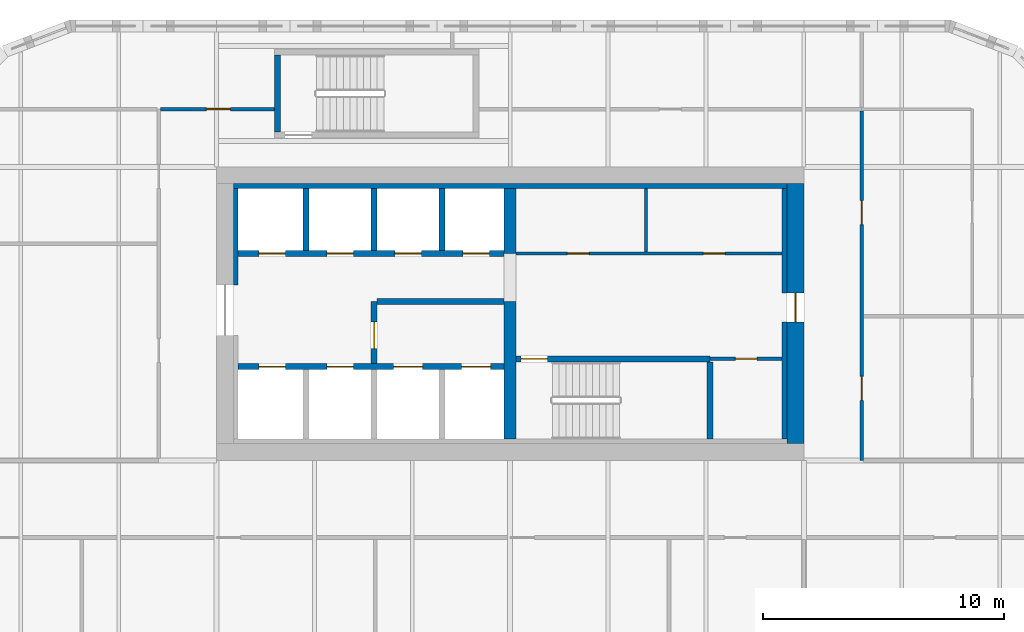
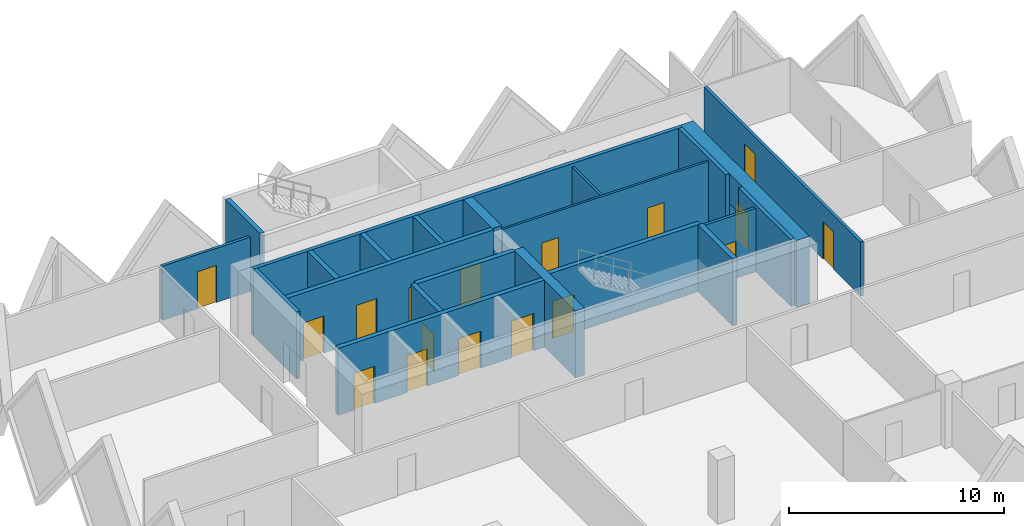
# One storey, part 13 of 18: 22 walls, 17 doors, 17 openings.
"""IFC4 building model written with IfcOpenShell, lengths in metres."""

from ifc_helpers import new_model, si_unit, direction, frame, frame_2d, origin, place, context, subcontext, project, spatial, rectangle, extrude, source, transform, mapped, material, layer, layer_set, type_object, element, fill, save


model = new_model("IFC4")

# Units and contexts
model_context = context("Model", 3, precision=1e-05, world=origin(), true_north=direction((0.0, 1.0)))
body_context = subcontext(model_context, "Body", "Model", "MODEL_VIEW")
ifc_project = project(units=[si_unit("LENGTHUNIT", "METRE"), si_unit("AREAUNIT", "SQUARE_METRE"), si_unit("VOLUMEUNIT", "CUBIC_METRE"), si_unit("PLANEANGLEUNIT", "RADIAN"), si_unit("MASSUNIT", "GRAM", prefix="KILO")], contexts=[model_context])

# Site, building, storey
site_placement = place(None, origin())
site = spatial("IfcSite", under=ifc_project, at=site_placement, CompositionType="ELEMENT")
building_placement = place(site_placement, origin())
building = spatial("IfcBuilding", under=site, at=building_placement, Name="Tessera Gate Towers", CompositionType="ELEMENT")
storey_placement = place(building_placement, frame((0.0, 0.0, 41.0)))
storey = spatial("IfcBuildingStorey", under=building, at=storey_placement, Name="L09", CompositionType="ELEMENT", Elevation=41.0)

# Wall, openings, doors
ifc_material_1 = material(Name="Concrete C40/50", Category="concrete")
ifc_layer_1 = layer(ifc_material_1, 0.25)
ifc_layer_set_1 = layer_set([ifc_layer_1], Name="CORE ENCLOSURE WALL 250")
wall_type_1 = type_object("IfcWallType", Name="CORE ENCLOSURE WALL 250", PredefinedType="SOLIDWALL", material=ifc_layer_set_1)
wall_1_placement = place(storey_placement, frame((98.5, 40.5, 0.0), z_axis=(0.0, 0.0, 1.0), x_axis=(1.0, 0.0, 0.0)))
wall_1 = element("IfcWall", 1, at=wall_1_placement, inside=storey, type_object=wall_type_1, Name="L09 shaft and stair enclosure wall", PredefinedType="SOLIDWALL", context=body_context, shape_type="SweptSolid", body=[
    extrude(rectangle(XDim=11.050048828125, YDim=0.25, at=frame_2d((5.52490234375, 0.0))), origin(), (0.0, 0.0, 1.0), 3.800048828125),
])
shared_shape_1 = source(origin(), body_context, "Body", "SweptSolid", [
    extrude(rectangle(XDim=1.10009765625, YDim=2.10009765625, at=frame_2d((0.550048828125, 1.050048828125))), frame((0.0, 0.135009765625, 0.0), z_axis=(0.0, -1.0, 0.0), x_axis=(1.0, 0.0, 0.0)), (0.0, 0.0, 1.0), 0.27001953125),
])
opening_1_placement = place(wall_1_placement, frame((0.862548828125, 0.0, 0.0)))
opening_1 = element("IfcOpeningElement", 2, at=opening_1_placement, cuts=wall_1, Name="Opening LD-TL1", PredefinedType="OPENING", context=body_context, shape_type="MappedRepresentation", body=[
    mapped(shared_shape_1, transform((0.0, 0.0, 0.0), scale=1.0)),
])
opening_2_placement = place(wall_1_placement, frame((3.6875, 0.0, 0.0)))
opening_2 = element("IfcOpeningElement", 3, at=opening_2_placement, cuts=wall_1, Name="Opening LD-TL2", PredefinedType="OPENING", context=body_context, shape_type="MappedRepresentation", body=[
    mapped(shared_shape_1, transform((0.0, 0.0, 0.0), scale=1.0)),
])
shared_shape_2 = source(origin(), body_context, "Body", "SweptSolid", [
    extrude(rectangle(XDim=1.199951171875, YDim=2.10009765625, at=frame_2d((0.60009765625, 1.050048828125))), frame((0.0, 0.135009765625, 0.0), z_axis=(0.0, -1.0, 0.0), x_axis=(1.0, 0.0, 0.0)), (0.0, 0.0, 1.0), 0.27001953125),
])
opening_3_placement = place(wall_1_placement, frame((6.46240234375, 0.0, 0.0)))
opening_3 = element("IfcOpeningElement", 4, at=opening_3_placement, cuts=wall_1, Name="Opening LD-FF3", PredefinedType="OPENING", context=body_context, shape_type="MappedRepresentation", body=[
    mapped(shared_shape_2, transform((0.0, 0.0, 0.0), scale=1.0)),
])
opening_4_placement = place(wall_1_placement, frame((9.28759765625, 0.0, 0.0)))
opening_4 = element("IfcOpeningElement", 5, at=opening_4_placement, cuts=wall_1, Name="Opening LD-FF4", PredefinedType="OPENING", context=body_context, shape_type="MappedRepresentation", body=[
    mapped(shared_shape_2, transform((0.0, 0.0, 0.0), scale=1.0)),
])
ifc_material_2 = material(Name="Stainless steel", Category="steel")
door_type_1 = type_object("IfcDoorType", Name="CORE DOOR LD1200 1200x2100", OperationType="DOUBLE_DOOR_SLIDING", PredefinedType="DOOR", material=ifc_material_2)
shared_shape_3 = source(origin(), body_context, "Body", "SweptSolid", [
    extrude(rectangle(XDim=1.199951171875, YDim=2.10009765625, at=frame_2d((0.60009765625, 1.050048828125))), frame((0.0, 0.02490234375, 0.0), z_axis=(0.0, -1.0, 0.0), x_axis=(1.0, 0.0, 0.0)), (0.0, 0.0, 1.0), 0.050048828125),
])
door_1_placement = place(opening_3_placement, origin())
door_1 = element("IfcDoor", 6, at=door_1_placement, inside=storey, type_object=door_type_1, Name="Landing door FF3 L09", OperationType="DOUBLE_DOOR_SLIDING", OverallHeight=2.10009765625, OverallWidth=1.199951171875, PredefinedType="DOOR", context=body_context, shape_type="MappedRepresentation", body=[
    mapped(shared_shape_3, transform((0.0, 0.0, 0.0), scale=1.0)),
])
fill(opening_3, door_1)
door_2_placement = place(opening_4_placement, origin())
door_2 = element("IfcDoor", 7, at=door_2_placement, inside=storey, type_object=door_type_1, Name="Landing door FF4 L09", OperationType="DOUBLE_DOOR_SLIDING", OverallHeight=2.10009765625, OverallWidth=1.199951171875, PredefinedType="DOOR", context=body_context, shape_type="MappedRepresentation", body=[
    mapped(shared_shape_3, transform((0.0, 0.0, 0.0), scale=1.0)),
])
fill(opening_4, door_2)
ifc_material_3 = material(Name="Stainless steel", Category="steel")
door_type_2 = type_object("IfcDoorType", Name="CORE DOOR LD 1100x2100", OperationType="DOUBLE_DOOR_SLIDING", PredefinedType="DOOR", material=ifc_material_3)
shared_shape_4 = source(origin(), body_context, "Body", "SweptSolid", [
    extrude(rectangle(XDim=1.10009765625, YDim=2.10009765625, at=frame_2d((0.550048828125, 1.050048828125))), frame((0.0, 0.02490234375, 0.0), z_axis=(0.0, -1.0, 0.0), x_axis=(1.0, 0.0, 0.0)), (0.0, 0.0, 1.0), 0.050048828125),
])
door_3_placement = place(opening_1_placement, origin())
door_3 = element("IfcDoor", 8, at=door_3_placement, inside=storey, type_object=door_type_2, Name="Landing door TL1 L09", OperationType="DOUBLE_DOOR_SLIDING", OverallHeight=2.10009765625, OverallWidth=1.10009765625, PredefinedType="DOOR", context=body_context, shape_type="MappedRepresentation", body=[
    mapped(shared_shape_4, transform((0.0, 0.0, 0.0), scale=1.0)),
])
fill(opening_1, door_3)
door_4_placement = place(opening_2_placement, origin())
door_4 = element("IfcDoor", 9, at=door_4_placement, inside=storey, type_object=door_type_2, Name="Landing door TL2 L09", OperationType="DOUBLE_DOOR_SLIDING", OverallHeight=2.10009765625, OverallWidth=1.10009765625, PredefinedType="DOOR", context=body_context, shape_type="MappedRepresentation", body=[
    mapped(shared_shape_4, transform((0.0, 0.0, 0.0), scale=1.0)),
])
fill(opening_2, door_4)

wall_2_placement = place(storey_placement, frame((109.550048828125, 45.199951171875, 0.0), z_axis=(0.0, 0.0, 1.0), x_axis=(-1.0, 0.0, 0.0)))
wall_2 = element("IfcWall", 10, at=wall_2_placement, inside=storey, type_object=wall_type_1, Name="L09 shaft and stair enclosure wall", PredefinedType="SOLIDWALL", context=body_context, shape_type="SweptSolid", body=[
    extrude(rectangle(XDim=11.050048828125, YDim=0.25, at=frame_2d((5.52490234375, 0.0))), origin(), (0.0, 0.0, 1.0), 3.800048828125),
])
opening_5_placement = place(wall_2_placement, frame((9.08740234375, 0.0, 0.0)))
opening_5 = element("IfcOpeningElement", 11, at=opening_5_placement, cuts=wall_2, Name="Opening LD-TL3", PredefinedType="OPENING", context=body_context, shape_type="MappedRepresentation", body=[
    mapped(shared_shape_1, transform((0.0, 0.0, 0.0), scale=1.0)),
])
opening_6_placement = place(wall_2_placement, frame((6.262451171875, 0.0, 0.0)))
opening_6 = element("IfcOpeningElement", 12, at=opening_6_placement, cuts=wall_2, Name="Opening LD-TL4", PredefinedType="OPENING", context=body_context, shape_type="MappedRepresentation", body=[
    mapped(shared_shape_1, transform((0.0, 0.0, 0.0), scale=1.0)),
])
opening_7_placement = place(wall_2_placement, frame((3.4375, 0.0, 0.0)))
opening_7 = element("IfcOpeningElement", 13, at=opening_7_placement, cuts=wall_2, Name="Opening LD-TL5", PredefinedType="OPENING", context=body_context, shape_type="MappedRepresentation", body=[
    mapped(shared_shape_1, transform((0.0, 0.0, 0.0), scale=1.0)),
])
opening_8_placement = place(wall_2_placement, frame((0.612548828125, 0.0, 0.0)))
opening_8 = element("IfcOpeningElement", 14, at=opening_8_placement, cuts=wall_2, Name="Opening LD-TL6", PredefinedType="OPENING", context=body_context, shape_type="MappedRepresentation", body=[
    mapped(shared_shape_1, transform((0.0, 0.0, 0.0), scale=1.0)),
])
door_5_placement = place(opening_5_placement, origin())
door_5 = element("IfcDoor", 15, at=door_5_placement, inside=storey, type_object=door_type_2, Name="Landing door TL3 L09", OperationType="DOUBLE_DOOR_SLIDING", OverallHeight=2.10009765625, OverallWidth=1.10009765625, PredefinedType="DOOR", context=body_context, shape_type="MappedRepresentation", body=[
    mapped(shared_shape_4, transform((0.0, 0.0, 0.0), scale=1.0)),
])
fill(opening_5, door_5)
door_6_placement = place(opening_6_placement, origin())
door_6 = element("IfcDoor", 16, at=door_6_placement, inside=storey, type_object=door_type_2, Name="Landing door TL4 L09", OperationType="DOUBLE_DOOR_SLIDING", OverallHeight=2.10009765625, OverallWidth=1.10009765625, PredefinedType="DOOR", context=body_context, shape_type="MappedRepresentation", body=[
    mapped(shared_shape_4, transform((0.0, 0.0, 0.0), scale=1.0)),
])
fill(opening_6, door_6)
door_7_placement = place(opening_7_placement, origin())
door_7 = element("IfcDoor", 17, at=door_7_placement, inside=storey, type_object=door_type_2, Name="Landing door TL5 L09", OperationType="DOUBLE_DOOR_SLIDING", OverallHeight=2.10009765625, OverallWidth=1.10009765625, PredefinedType="DOOR", context=body_context, shape_type="MappedRepresentation", body=[
    mapped(shared_shape_4, transform((0.0, 0.0, 0.0), scale=1.0)),
])
fill(opening_7, door_7)
door_8_placement = place(opening_8_placement, origin())
door_8 = element("IfcDoor", 18, at=door_8_placement, inside=storey, type_object=door_type_2, Name="Landing door TL6 L09", OperationType="DOUBLE_DOOR_SLIDING", OverallHeight=2.10009765625, OverallWidth=1.10009765625, PredefinedType="DOOR", context=body_context, shape_type="MappedRepresentation", body=[
    mapped(shared_shape_4, transform((0.0, 0.0, 0.0), scale=1.0)),
])
fill(opening_8, door_8)

# Wall, opening, door
wall_3_placement = place(storey_placement, frame((118.10009765625, 40.824951171875, 0.0), z_axis=(0.0, 0.0, 1.0), x_axis=(-1.0, 0.0, 0.0)))
wall_3 = element("IfcWall", 19, at=wall_3_placement, inside=storey, type_object=wall_type_1, Name="L09 shaft and stair enclosure wall", PredefinedType="SOLIDWALL", context=body_context, shape_type="SweptSolid", body=[
    extrude(rectangle(XDim=8.050048828125, YDim=0.25, at=frame_2d((4.02490234375, 0.0))), origin(), (0.0, 0.0, 1.0), 3.800048828125),
])
opening_9_placement = place(wall_3_placement, frame((6.75, 0.0, 0.0)))
opening_9 = element("IfcOpeningElement", 20, at=opening_9_placement, cuts=wall_3, Name="Opening SD-ST6-1", PredefinedType="OPENING", context=body_context, shape_type="MappedRepresentation", body=[
    mapped(shared_shape_1, transform((0.0, 0.0, 0.0), scale=1.0)),
])
ifc_material_4 = material(Name="Hollow steel fire door", Category="steel")
door_type_3 = type_object("IfcDoorType", Name="CORE DOOR SD1100 1100x2100", OperationType="NOTDEFINED", PredefinedType="DOOR", material=ifc_material_4)
door_9_placement = place(opening_9_placement, origin())
door_9 = element("IfcDoor", 21, at=door_9_placement, inside=storey, type_object=door_type_3, Name="Stair door", OperationType="SINGLE_SWING_RIGHT", OverallHeight=2.10009765625, OverallWidth=1.10009765625, PredefinedType="DOOR", context=body_context, shape_type="MappedRepresentation", body=[
    mapped(shared_shape_4, transform((0.0, 0.0, 0.0), scale=1.0)),
])
fill(opening_9, door_9)

wall_4_placement = place(storey_placement, frame((104.14990234375, 43.199951171875, 0.0), z_axis=(0.0, 0.0, 1.0), x_axis=(0.0, -1.0, 0.0)))
wall_4 = element("IfcWall", 22, at=wall_4_placement, inside=storey, type_object=wall_type_1, Name="L09 shaft and stair enclosure wall", PredefinedType="SOLIDWALL", context=body_context, shape_type="SweptSolid", body=[
    extrude(rectangle(XDim=2.574951171875, YDim=0.25, at=frame_2d((1.28759765625, 0.0))), origin(), (0.0, 0.0, 1.0), 3.800048828125),
])
opening_10_placement = place(wall_4_placement, frame((0.85009765625, 0.0, 0.0)))
opening_10 = element("IfcOpeningElement", 23, at=opening_10_placement, cuts=wall_4, Name="Opening FD-T2-04-03", PredefinedType="OPENING", context=body_context, shape_type="MappedRepresentation", body=[
    mapped(shared_shape_1, transform((0.0, 0.0, 0.0), scale=1.0)),
])
ifc_material_5 = material(Name="Hollow steel fire door", Category="steel")
door_type_4 = type_object("IfcDoorType", Name="CORE DOOR FD 1100x2100", OperationType="NOTDEFINED", PredefinedType="DOOR", material=ifc_material_5)
door_10_placement = place(opening_10_placement, origin())
door_10 = element("IfcDoor", 24, at=door_10_placement, inside=storey, type_object=door_type_4, Name="Fire-fighting lobby door", OperationType="SINGLE_SWING_RIGHT", OverallHeight=2.10009765625, OverallWidth=1.10009765625, PredefinedType="DOOR", context=body_context, shape_type="MappedRepresentation", body=[
    mapped(shared_shape_4, transform((0.0, 0.0, 0.0), scale=1.0)),
])
fill(opening_10, door_10)

# Walls
wall_5_placement = place(storey_placement, frame((104.27490234375, 43.199951171875, 0.0), z_axis=(0.0, 0.0, 1.0), x_axis=(1.0, 0.0, 0.0)))
element("IfcWall", 25, at=wall_5_placement, inside=storey, type_object=wall_type_1, Name="L09 shaft and stair enclosure wall", PredefinedType="SOLIDWALL", context=body_context, shape_type="SweptSolid", body=[
    extrude(rectangle(XDim=5.275146484375, YDim=0.25, at=frame_2d((2.6376953125, 0.0))), origin(), (0.0, 0.0, 1.0), 3.800048828125),
])
wall_6_placement = place(storey_placement, frame((118.10009765625, 37.5, 0.0), z_axis=(0.0, 0.0, 1.0), x_axis=(0.0, 1.0, 0.0)))
element("IfcWall", 26, at=wall_6_placement, inside=storey, type_object=wall_type_1, Name="L09 shaft and stair enclosure wall", PredefinedType="SOLIDWALL", context=body_context, shape_type="SweptSolid", body=[
    extrude(rectangle(XDim=3.199951171875, YDim=0.25, at=frame_2d((1.60009765625, 0.0))), origin(), (0.0, 0.0, 1.0), 3.800048828125),
])
for number, where, z_axis, x_axis, name in (
    (27, (101.324951171875, 45.324951171875, 0.0), (0.0, 0.0, 1.0), (0.0, 1.0, 0.0), "L09 shaft and stair enclosure wall"),
    (28, (104.14990234375, 45.324951171875, 0.0), (0.0, 0.0, 1.0), (0.0, 1.0, 0.0), "L09 shaft and stair enclosure wall"),
    (29, (106.97509765625, 45.324951171875, 0.0), (0.0, 0.0, 1.0), (0.0, 1.0, 0.0), "L09 shaft and stair enclosure wall"),
):
    element("IfcWall", number, at=place(storey_placement, frame(where, z_axis=z_axis, x_axis=x_axis)), inside=storey, type_object=wall_type_1, Name=name, PredefinedType="SOLIDWALL", context=body_context, shape_type="SweptSolid", body=[
        extrude(rectangle(XDim=2.574951171875, YDim=0.25, at=frame_2d((1.28759765625, 0.0))), origin(), (0.0, 0.0, 1.0), 3.800048828125),
    ])
wall_7_placement = place(storey_placement, frame((100.125, 50.25, 0.0), z_axis=(0.0, 0.0, 1.0), x_axis=(0.0, 1.0, 0.0)))
element("IfcWall", 30, at=wall_7_placement, inside=storey, type_object=wall_type_1, Name="L09 ST7 enclosure wall", PredefinedType="SOLIDWALL", context=body_context, shape_type="SweptSolid", body=[
    extrude(rectangle(XDim=3.199951171875, YDim=0.25, at=frame_2d((1.60009765625, 0.0))), origin(), (0.0, 0.0, 1.0), 3.800048828125),
])

# Wall, openings, doors
ifc_material_6 = material(Name="Gypsum board on steel studs", Category="steel")
ifc_layer_2 = layer(ifc_material_6, 0.1201171875)
ifc_layer_set_2 = layer_set([ifc_layer_2], Name="CORE PARTITION 120")
wall_type_2 = type_object("IfcWallType", Name="CORE PARTITION 120", PredefinedType="PARTITIONING", material=ifc_layer_set_2)
wall_8_placement = place(storey_placement, frame((110.050048828125, 45.199951171875, 0.0), z_axis=(0.0, 0.0, 1.0), x_axis=(1.0, 0.0, 0.0)))
wall_8 = element("IfcWall", 31, at=wall_8_placement, inside=storey, type_object=wall_type_2, Name="L09 core partition", PredefinedType="PARTITIONING", context=body_context, shape_type="SweptSolid", body=[
    extrude(rectangle(XDim=11.050048828125, YDim=0.1201171875, at=frame_2d((5.52490234375, 0.0))), origin(), (0.0, 0.0, 1.0), 3.60009765625),
])
shared_shape_5 = source(origin(), body_context, "Body", "SweptSolid", [
    extrude(rectangle(XDim=0.89990234375, YDim=2.10009765625, at=frame_2d((0.449951171875, 1.050048828125))), frame((0.0, 0.070068359375, 0.0), z_axis=(0.0, -1.0, 0.0), x_axis=(1.0, 0.0, 0.0)), (0.0, 0.0, 1.0), 0.14013671875),
])
opening_11_placement = place(wall_8_placement, frame((2.125, 0.0, 0.0)))
opening_11 = element("IfcOpeningElement", 32, at=opening_11_placement, cuts=wall_8, Name="Opening RD-T2-04-04", PredefinedType="OPENING", context=body_context, shape_type="MappedRepresentation", body=[
    mapped(shared_shape_5, transform((0.0, 0.0, 0.0), scale=1.0)),
])
opening_12_placement = place(wall_8_placement, frame((7.77490234375, 0.0, 0.0)))
opening_12 = element("IfcOpeningElement", 33, at=opening_12_placement, cuts=wall_8, Name="Opening RD-T2-04-05", PredefinedType="OPENING", context=body_context, shape_type="MappedRepresentation", body=[
    mapped(shared_shape_5, transform((0.0, 0.0, 0.0), scale=1.0)),
])
ifc_material_7 = material(Name="Hollow steel fire door", Category="steel")
door_type_5 = type_object("IfcDoorType", Name="CORE DOOR RD 900x2100", OperationType="NOTDEFINED", PredefinedType="DOOR", material=ifc_material_7)
shared_shape_6 = source(origin(), body_context, "Body", "SweptSolid", [
    extrude(rectangle(XDim=0.89990234375, YDim=2.10009765625, at=frame_2d((0.449951171875, 1.050048828125))), frame((0.0, 0.02490234375, 0.0), z_axis=(0.0, -1.0, 0.0), x_axis=(1.0, 0.0, 0.0)), (0.0, 0.0, 1.0), 0.050048828125),
])
door_11_placement = place(opening_11_placement, origin())
door_11 = element("IfcDoor", 34, at=door_11_placement, inside=storey, type_object=door_type_5, Name="Core room door", OperationType="SINGLE_SWING_LEFT", OverallHeight=2.10009765625, OverallWidth=0.89990234375, PredefinedType="DOOR", context=body_context, shape_type="MappedRepresentation", body=[
    mapped(shared_shape_6, transform((0.0, 0.0, 0.0), scale=1.0)),
])
fill(opening_11, door_11)
door_12_placement = place(opening_12_placement, origin())
door_12 = element("IfcDoor", 35, at=door_12_placement, inside=storey, type_object=door_type_5, Name="Core room door", OperationType="SINGLE_SWING_RIGHT", OverallHeight=2.10009765625, OverallWidth=0.89990234375, PredefinedType="DOOR", context=body_context, shape_type="MappedRepresentation", body=[
    mapped(shared_shape_6, transform((0.0, 0.0, 0.0), scale=1.0)),
])
fill(opening_12, door_12)

# Wall
wall_9_placement = place(storey_placement, frame((115.449951171875, 45.260009765625, 0.0), z_axis=(0.0, 0.0, 1.0), x_axis=(0.0, 1.0, 0.0)))
element("IfcWall", 36, at=wall_9_placement, inside=storey, type_object=wall_type_2, Name="L09 core partition", PredefinedType="PARTITIONING", context=body_context, shape_type="SweptSolid", body=[
    extrude(rectangle(XDim=2.639892578125, YDim=0.1201171875, at=frame_2d((1.31982421875, 0.0))), origin(), (0.0, 0.0, 1.0), 3.60009765625),
])

# Wall, opening, door
ifc_material_8 = material(Name="Concrete C60/75", Category="concrete")
ifc_layer_3 = layer(ifc_material_8, 0.699951171875)
ifc_layer_set_3 = layer_set([ifc_layer_3], Name="CORE SHEAR WALL 700 C60/75")
wall_type_3 = type_object("IfcWallType", Name="CORE SHEAR WALL 700 C60/75", PredefinedType="SHEAR", material=ifc_layer_set_3)
wall_10_placement = place(storey_placement, frame((121.64990234375, 48.10009765625, 0.0), z_axis=(0.0, 0.0, 1.0), x_axis=(0.0, -1.0, 0.0)))
wall_10 = element("IfcWall", 37, at=wall_10_placement, inside=storey, type_object=wall_type_3, Name="Core wall E L09", PredefinedType="SHEAR", context=body_context, shape_type="SweptSolid", body=[
    extrude(rectangle(XDim=10.800048828125, YDim=0.699951171875, at=frame_2d((5.39990234375, 0.0))), origin(), (0.0, 0.0, 1.0), 3.800048828125),
])
shared_shape_7 = source(origin(), body_context, "Body", "SweptSolid", [
    extrude(rectangle(XDim=1.199951171875, YDim=2.10009765625, at=frame_2d((0.60009765625, 1.050048828125))), frame((0.0, 0.35986328125, 0.0), z_axis=(0.0, -1.0, 0.0), x_axis=(1.0, 0.0, 0.0)), (0.0, 0.0, 1.0), 0.719970703125),
])
opening_13_placement = place(wall_10_placement, frame((4.550048828125, 0.0, 0.0)))
opening_13 = element("IfcOpeningElement", 38, at=opening_13_placement, cuts=wall_10, Name="Opening ED-T2-04-02", PredefinedType="OPENING", context=body_context, shape_type="MappedRepresentation", body=[
    mapped(shared_shape_7, transform((0.0, 0.0, 0.0), scale=1.0)),
])
ifc_material_9 = material(Name="Hollow steel fire door", Category="steel")
door_type_6 = type_object("IfcDoorType", Name="CORE DOOR ED 1200x2100", OperationType="NOTDEFINED", PredefinedType="DOOR", material=ifc_material_9)
door_13_placement = place(opening_13_placement, origin())
door_13 = element("IfcDoor", 39, at=door_13_placement, inside=storey, type_object=door_type_6, Name="Core exit door", OperationType="SINGLE_SWING_LEFT", OverallHeight=2.10009765625, OverallWidth=1.199951171875, PredefinedType="DOOR", context=body_context, shape_type="MappedRepresentation", body=[
    mapped(shared_shape_3, transform((0.0, 0.0, 0.0), scale=1.0)),
])
fill(opening_13, door_13)

# Walls
ifc_material_10 = material(Name="Concrete C60/75", Category="concrete")
ifc_layer_4 = layer(ifc_material_10, 0.5)
ifc_layer_set_4 = layer_set([ifc_layer_4], Name="CORE SPINE WALL 500 C60/75")
wall_type_4 = type_object("IfcWallType", Name="CORE SPINE WALL 500 C60/75", PredefinedType="SHEAR", material=ifc_layer_set_4)
wall_11_placement = place(storey_placement, frame((109.800048828125, 37.5, 0.0), z_axis=(0.0, 0.0, 1.0), x_axis=(0.0, 1.0, 0.0)))
element("IfcWall", 40, at=wall_11_placement, inside=storey, type_object=wall_type_4, Name="Core wall spine L09", PredefinedType="SHEAR", context=body_context, shape_type="SweptSolid", body=[
    extrude(rectangle(XDim=5.699951171875, YDim=0.5, at=frame_2d((2.85009765625, 0.0))), origin(), (0.0, 0.0, 1.0), 3.800048828125),
])
wall_12_placement = place(storey_placement, frame((109.800048828125, 45.199951171875, 0.0), z_axis=(0.0, 0.0, 1.0), x_axis=(0.0, 1.0, 0.0)))
element("IfcWall", 41, at=wall_12_placement, inside=storey, type_object=wall_type_4, Name="Core wall spine L09", PredefinedType="SHEAR", context=body_context, shape_type="SweptSolid", body=[
    extrude(rectangle(XDim=2.699951171875, YDim=0.5, at=frame_2d((1.35009765625, 0.0))), origin(), (0.0, 0.0, 1.0), 3.800048828125),
])
ifc_material_11 = material(Name="Concrete C60/75", Category="concrete")
ifc_layer_5 = layer(ifc_material_11, 0.199951171875)
ifc_layer_set_5 = layer_set([ifc_layer_5], Name="CORE WALL THICKENING 200")
wall_type_5 = type_object("IfcWallType", Name="CORE WALL THICKENING 200", PredefinedType="SOLIDWALL", material=ifc_layer_set_5)
wall_13_placement = place(storey_placement, frame((98.300048828125, 48.0, 0.0), z_axis=(0.0, 0.0, 1.0), x_axis=(1.0, 0.0, 0.0)))
element("IfcWall", 42, at=wall_13_placement, inside=storey, type_object=wall_type_5, Name="Core wall thickening N L09", PredefinedType="SOLIDWALL", context=body_context, shape_type="SweptSolid", body=[
    extrude(rectangle(XDim=23.0, YDim=0.199951171875, at=frame_2d((11.5, 0.0))), origin(), (0.0, 0.0, 1.0), 3.800048828125),
])
wall_14_placement = place(storey_placement, frame((98.39990234375, 43.89990234375, 0.0), z_axis=(0.0, 0.0, 1.0), x_axis=(0.0, 1.0, 0.0)))
element("IfcWall", 43, at=wall_14_placement, inside=storey, type_object=wall_type_5, Name="Core wall thickening W L09", PredefinedType="SOLIDWALL", context=body_context, shape_type="SweptSolid", body=[
    extrude(rectangle(XDim=4.0, YDim=0.199951171875, at=frame_2d((2.0, 0.0))), origin(), (0.0, 0.0, 1.0), 3.800048828125),
])
wall_15_placement = place(storey_placement, frame((121.199951171875, 37.5, 0.0), z_axis=(0.0, 0.0, 1.0), x_axis=(0.0, 1.0, 0.0)))
element("IfcWall", 44, at=wall_15_placement, inside=storey, type_object=wall_type_5, Name="Core wall thickening E L09", PredefinedType="SOLIDWALL", context=body_context, shape_type="SweptSolid", body=[
    extrude(rectangle(XDim=4.85009765625, YDim=0.199951171875, at=frame_2d((2.425048828125, 0.0))), origin(), (0.0, 0.0, 1.0), 3.800048828125),
])
wall_16_placement = place(storey_placement, frame((121.199951171875, 43.550048828125, 0.0), z_axis=(0.0, 0.0, 1.0), x_axis=(0.0, 1.0, 0.0)))
element("IfcWall", 45, at=wall_16_placement, inside=storey, type_object=wall_type_5, Name="Core wall thickening E L09", PredefinedType="SOLIDWALL", context=body_context, shape_type="SweptSolid", body=[
    extrude(rectangle(XDim=4.349853515625, YDim=0.199951171875, at=frame_2d((2.1748046875, 0.0))), origin(), (0.0, 0.0, 1.0), 3.800048828125),
])

# Wall, openings, doors
ifc_material_12 = material(Name="Gypsum board on steel studs, mineral wool", Category="steel")
ifc_layer_6 = layer(ifc_material_12, 0.14990234375)
ifc_layer_set_6 = layer_set([ifc_layer_6], Name="CORRIDOR WALL 150")
wall_type_6 = type_object("IfcWallType", Name="CORRIDOR WALL 150", PredefinedType="PARTITIONING", material=ifc_layer_set_6)
wall_17_placement = place(storey_placement, frame((124.39990234375, 51.1240234375, 0.0), z_axis=(0.0, 0.0, 1.0), x_axis=(0.0, -1.0, 0.0)))
wall_17 = element("IfcWall", 46, at=wall_17_placement, inside=storey, type_object=wall_type_6, Name="T2-L09-PW-013", PredefinedType="PARTITIONING", context=body_context, shape_type="SweptSolid", body=[
    extrude(rectangle(XDim=14.52392578125, YDim=0.14990234375, at=frame_2d((7.261962890625, 0.0))), origin(), (0.0, 0.0, 1.0), 3.06689453125),
])
shared_shape_8 = source(origin(), body_context, "Body", "SweptSolid", [
    extrude(rectangle(XDim=1.0, YDim=2.10009765625, at=frame_2d((0.5, 1.050048828125))), frame((0.0, 0.0849609375, 0.0), z_axis=(0.0, -1.0, 0.0), x_axis=(1.0, 0.0, 0.0)), (0.0, 0.0, 1.0), 0.169921875),
])
opening_14_placement = place(wall_17_placement, frame((3.72412109375, 0.0, 0.0)))
opening_14 = element("IfcOpeningElement", 47, at=opening_14_placement, cuts=wall_17, Name="Opening D2100FD60-B04-03", PredefinedType="OPENING", context=body_context, shape_type="MappedRepresentation", body=[
    mapped(shared_shape_8, transform((0.0, 0.0, 0.0), scale=1.0)),
])
opening_15_placement = place(wall_17_placement, frame((11.02392578125, 0.0, 0.0)))
opening_15 = element("IfcOpeningElement", 48, at=opening_15_placement, cuts=wall_17, Name="Opening D2100FD60-B04-04", PredefinedType="OPENING", context=body_context, shape_type="MappedRepresentation", body=[
    mapped(shared_shape_8, transform((0.0, 0.0, 0.0), scale=1.0)),
])
ifc_material_13 = material(Name="Timber door leaf in steel frame", Category="steel")
door_type_7 = type_object("IfcDoorType", Name="TENANCY ENTRANCE DOOR 1000 FD60", OperationType="NOTDEFINED", PredefinedType="DOOR", material=ifc_material_13)
shared_shape_9 = source(origin(), body_context, "Body", "SweptSolid", [
    extrude(rectangle(XDim=1.0, YDim=2.10009765625, at=frame_2d((0.5, 1.050048828125))), frame((0.0, 0.02490234375, 0.0), z_axis=(0.0, -1.0, 0.0), x_axis=(1.0, 0.0, 0.0)), (0.0, 0.0, 1.0), 0.050048828125),
])
door_14_placement = place(opening_14_placement, origin())
door_14 = element("IfcDoor", 49, at=door_14_placement, inside=storey, type_object=door_type_7, Name="T2-L09-PD-010", OperationType="SINGLE_SWING_RIGHT", OverallHeight=2.10009765625, OverallWidth=1.0, PredefinedType="DOOR", context=body_context, shape_type="MappedRepresentation", body=[
    mapped(shared_shape_9, transform((0.0, 0.0, 0.0), scale=1.0)),
])
fill(opening_14, door_14)
door_15_placement = place(opening_15_placement, origin())
door_15 = element("IfcDoor", 50, at=door_15_placement, inside=storey, type_object=door_type_7, Name="T2-L09-PD-011", OperationType="SINGLE_SWING_RIGHT", OverallHeight=2.10009765625, OverallWidth=1.0, PredefinedType="DOOR", context=body_context, shape_type="MappedRepresentation", body=[
    mapped(shared_shape_9, transform((0.0, 0.0, 0.0), scale=1.0)),
])
fill(opening_15, door_15)

# Wall, opening, door
wall_18_placement = place(storey_placement, frame((95.27587890625, 51.199951171875, 0.0), z_axis=(0.0, 0.0, 1.0), x_axis=(1.0, 0.0, 0.0)))
wall_18 = element("IfcWall", 51, at=wall_18_placement, inside=storey, type_object=wall_type_6, Name="T2-L09-PW-021", PredefinedType="PARTITIONING", context=body_context, shape_type="SweptSolid", body=[
    extrude(rectangle(XDim=4.72412109375, YDim=0.14990234375, at=frame_2d((2.362060546875, 0.0))), origin(), (0.0, 0.0, 1.0), 3.06689453125),
])
opening_16_placement = place(wall_18_placement, frame((1.89990234375, 0.0, 0.0)))
opening_16 = element("IfcOpeningElement", 52, at=opening_16_placement, cuts=wall_18, Name="Opening D2100FD60-B04-01", PredefinedType="OPENING", context=body_context, shape_type="MappedRepresentation", body=[
    mapped(shared_shape_8, transform((0.0, 0.0, 0.0), scale=1.0)),
])
door_16_placement = place(opening_16_placement, origin())
door_16 = element("IfcDoor", 53, at=door_16_placement, inside=storey, type_object=door_type_7, Name="T2-L09-PD-001", OperationType="SINGLE_SWING_LEFT", OverallHeight=2.10009765625, OverallWidth=1.0, PredefinedType="DOOR", context=body_context, shape_type="MappedRepresentation", body=[
    mapped(shared_shape_9, transform((0.0, 0.0, 0.0), scale=1.0)),
])
fill(opening_16, door_16)

ifc_material_14 = material(Name="Gypsum board on steel studs", Category="steel")
ifc_layer_7 = layer(ifc_material_14, 0.14990234375)
ifc_layer_set_7 = layer_set([ifc_layer_7], Name="SERVICE ROOM WALL 150")
wall_type_7 = type_object("IfcWallType", Name="SERVICE ROOM WALL 150", PredefinedType="PARTITIONING", material=ifc_layer_set_7)
wall_19_placement = place(storey_placement, frame((121.10009765625, 40.824951171875, 0.0), z_axis=(0.0, 0.0, 1.0), x_axis=(-1.0, 0.0, 0.0)))
wall_19 = element("IfcWall", 54, at=wall_19_placement, inside=storey, type_object=wall_type_7, Name="L09 service room wall", PredefinedType="PARTITIONING", context=body_context, shape_type="SweptSolid", body=[
    extrude(rectangle(XDim=3.0, YDim=0.14990234375, at=frame_2d((1.5, 0.0))), origin(), (0.0, 0.0, 1.0), 3.60009765625),
])
shared_shape_10 = source(origin(), body_context, "Body", "SweptSolid", [
    extrude(rectangle(XDim=0.89990234375, YDim=2.10009765625, at=frame_2d((0.449951171875, 1.050048828125))), frame((0.0, 0.0849609375, 0.0), z_axis=(0.0, -1.0, 0.0), x_axis=(1.0, 0.0, 0.0)), (0.0, 0.0, 1.0), 0.169921875),
])
opening_17_placement = place(wall_19_placement, frame((1.050048828125, 0.0, 0.0)))
opening_17 = element("IfcOpeningElement", 55, at=opening_17_placement, cuts=wall_19, Name="Opening RD-T2-04-06", PredefinedType="OPENING", context=body_context, shape_type="MappedRepresentation", body=[
    mapped(shared_shape_10, transform((0.0, 0.0, 0.0), scale=1.0)),
])
door_17_placement = place(opening_17_placement, origin())
door_17 = element("IfcDoor", 56, at=door_17_placement, inside=storey, type_object=door_type_5, Name="Core room door", OperationType="SINGLE_SWING_RIGHT", OverallHeight=2.10009765625, OverallWidth=0.89990234375, PredefinedType="DOOR", context=body_context, shape_type="MappedRepresentation", body=[
    mapped(shared_shape_6, transform((0.0, 0.0, 0.0), scale=1.0)),
])
fill(opening_17, door_17)

save(model, "model.ifc")
